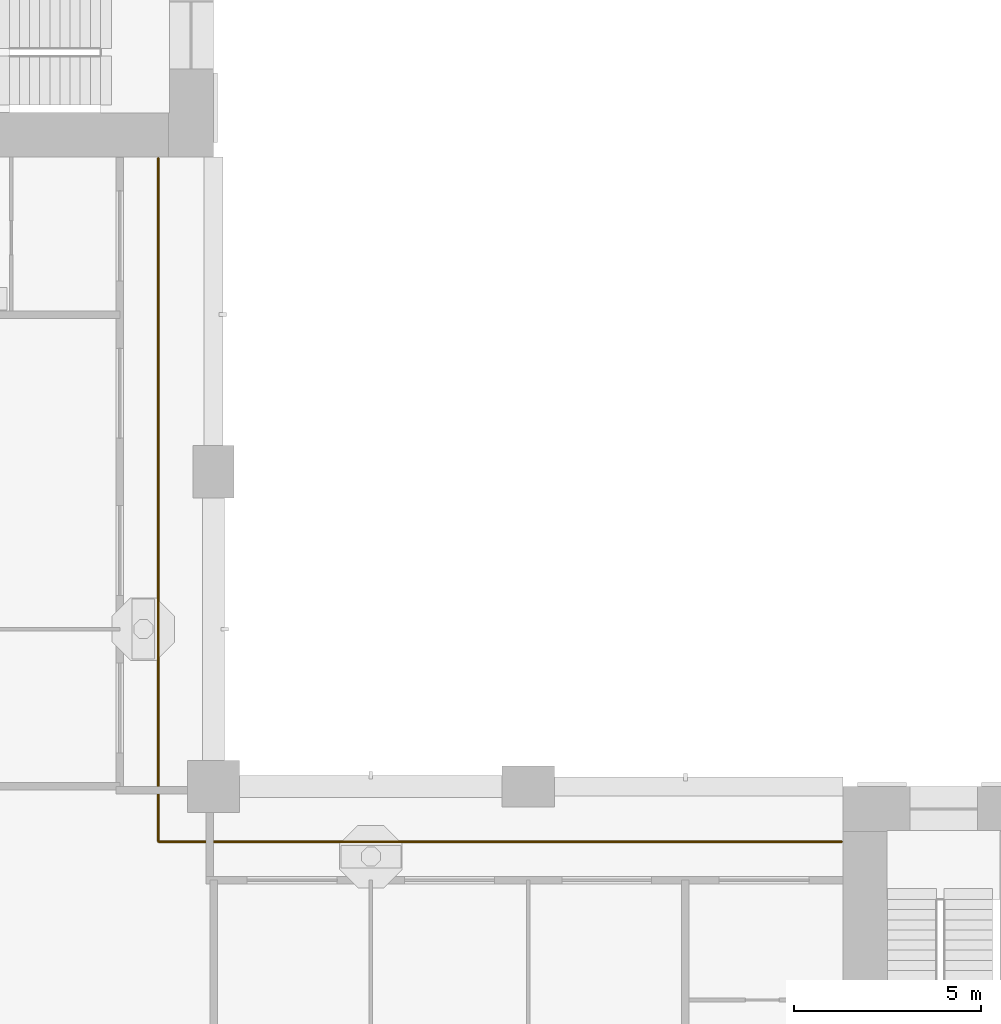
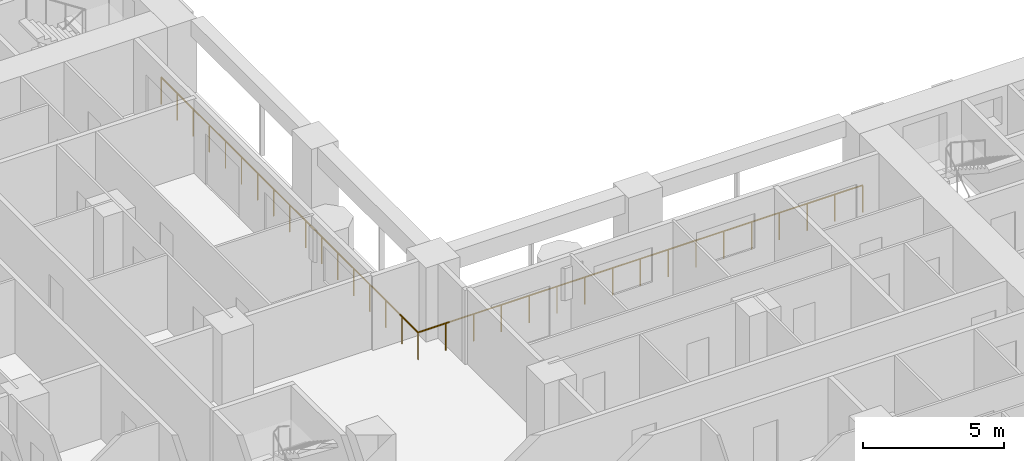
# One storey, part 16 of 20: 1 railing.
"""IFC4 building model written with IfcOpenShell, lengths in metres."""

from ifc_helpers import new_model, si_unit, direction, frame, origin, origin_2d, place, context, subcontext, project, spatial, circle, extrude, material, type_object, element, save


model = new_model("IFC4")

# Units and contexts
model_context = context("Model", 3, precision=1e-05, world=origin(), true_north=direction((0.0, 1.0)))
body_context = subcontext(model_context, "Body", "Model", "MODEL_VIEW")
ifc_project = project(units=[si_unit("LENGTHUNIT", "METRE"), si_unit("AREAUNIT", "SQUARE_METRE"), si_unit("VOLUMEUNIT", "CUBIC_METRE"), si_unit("PLANEANGLEUNIT", "RADIAN"), si_unit("MASSUNIT", "GRAM", prefix="KILO")], contexts=[model_context])

# Site, building, storey
site_placement = place(None, origin())
site = spatial("IfcSite", under=ifc_project, at=site_placement, CompositionType="ELEMENT")
building_placement = place(site_placement, origin())
building = spatial("IfcBuilding", under=site, at=building_placement, Name="Vermilion Gate Residences", CompositionType="ELEMENT")
storey_placement = place(building_placement, frame((0.0, 0.0, 39.199951171875)))
storey = spatial("IfcBuildingStorey", under=building, at=storey_placement, Name="L08", CompositionType="ELEMENT", Elevation=39.199951171875)

# Railing
ifc_material = material(Name="Stainless steel and toughened glass", Category="steel")
railing_type = type_object("IfcRailingType", Name="LOGGIA GUARD STEEL AND GLASS 1200", PredefinedType="GUARDRAIL", material=ifc_material)
railing_placement = place(storey_placement, frame((41.97802734375, 23.72509765625, 0.0)))
element("IfcRailing", 1, at=railing_placement, inside=storey, type_object=railing_type, Name="Loggia guard", PredefinedType="GUARDRAIL", context=body_context, shape_type="SweptSolid", body=[
    extrude(circle(Radius=0.030029296875, at=origin_2d()), frame((0.0, 0.0, 1.169921875), z_axis=(-1.0, 0.0, 0.0), x_axis=(0.0, -1.0, 0.0)), (0.0, 0.0, 1.0), 18.2529296875),
    extrude(circle(Radius=0.030029296875, at=origin_2d()), frame((-18.2529296875, 0.0, 1.169921875), z_axis=(0.0, 1.0, 0.0), x_axis=(-1.0, 0.0, 0.0)), (0.0, 0.0, 1.0), 18.2529296875),
    extrude(circle(Radius=0.02490234375, at=origin_2d()), origin(), (0.0, 0.0, 1.0), 1.139892578125),
    extrude(circle(Radius=0.02490234375, at=origin_2d()), frame((-1.140869140625, 0.0, 0.0)), (0.0, 0.0, 1.0), 1.139892578125),
    extrude(circle(Radius=0.02490234375, at=origin_2d()), frame((-2.28173828125, 0.0, 0.0)), (0.0, 0.0, 1.0), 1.139892578125),
    extrude(circle(Radius=0.02490234375, at=origin_2d()), frame((-3.42236328125, 0.0, 0.0)), (0.0, 0.0, 1.0), 1.139892578125),
    extrude(circle(Radius=0.02490234375, at=origin_2d()), frame((-4.563232421875, 0.0, 0.0)), (0.0, 0.0, 1.0), 1.139892578125),
    extrude(circle(Radius=0.02490234375, at=origin_2d()), frame((-5.7041015625, 0.0, 0.0)), (0.0, 0.0, 1.0), 1.139892578125),
    extrude(circle(Radius=0.02490234375, at=origin_2d()), frame((-6.8447265625, 0.0, 0.0)), (0.0, 0.0, 1.0), 1.139892578125),
    extrude(circle(Radius=0.02490234375, at=origin_2d()), frame((-7.985595703125, 0.0, 0.0)), (0.0, 0.0, 1.0), 1.139892578125),
    extrude(circle(Radius=0.02490234375, at=origin_2d()), frame((-9.12646484375, 0.0, 0.0)), (0.0, 0.0, 1.0), 1.139892578125),
    extrude(circle(Radius=0.02490234375, at=origin_2d()), frame((-10.267333984375, 0.0, 0.0)), (0.0, 0.0, 1.0), 1.139892578125),
    extrude(circle(Radius=0.02490234375, at=origin_2d()), frame((-11.408203125, 0.0, 0.0)), (0.0, 0.0, 1.0), 1.139892578125),
    extrude(circle(Radius=0.02490234375, at=origin_2d()), frame((-12.548828125, 0.0, 0.0)), (0.0, 0.0, 1.0), 1.139892578125),
    extrude(circle(Radius=0.02490234375, at=origin_2d()), frame((-13.689697265625, 0.0, 0.0)), (0.0, 0.0, 1.0), 1.139892578125),
    extrude(circle(Radius=0.02490234375, at=origin_2d()), frame((-14.83056640625, 0.0, 0.0)), (0.0, 0.0, 1.0), 1.139892578125),
    extrude(circle(Radius=0.02490234375, at=origin_2d()), frame((-15.97119140625, 0.0, 0.0)), (0.0, 0.0, 1.0), 1.139892578125),
    extrude(circle(Radius=0.02490234375, at=origin_2d()), frame((-17.112060546875, 0.0, 0.0)), (0.0, 0.0, 1.0), 1.139892578125),
    extrude(circle(Radius=0.02490234375, at=origin_2d()), frame((-18.2529296875, 0.0, 0.0)), (0.0, 0.0, 1.0), 1.139892578125),
    extrude(circle(Radius=0.02490234375, at=origin_2d()), frame((-18.2529296875, 1.140869140625, 0.0)), (0.0, 0.0, 1.0), 1.139892578125),
    extrude(circle(Radius=0.02490234375, at=origin_2d()), frame((-18.2529296875, 2.28173828125, 0.0)), (0.0, 0.0, 1.0), 1.139892578125),
    extrude(circle(Radius=0.02490234375, at=origin_2d()), frame((-18.2529296875, 3.42236328125, 0.0)), (0.0, 0.0, 1.0), 1.139892578125),
    extrude(circle(Radius=0.02490234375, at=origin_2d()), frame((-18.2529296875, 4.563232421875, 0.0)), (0.0, 0.0, 1.0), 1.139892578125),
    extrude(circle(Radius=0.02490234375, at=origin_2d()), frame((-18.2529296875, 5.7041015625, 0.0)), (0.0, 0.0, 1.0), 1.139892578125),
    extrude(circle(Radius=0.02490234375, at=origin_2d()), frame((-18.2529296875, 6.8447265625, 0.0)), (0.0, 0.0, 1.0), 1.139892578125),
    extrude(circle(Radius=0.02490234375, at=origin_2d()), frame((-18.2529296875, 7.985595703125, 0.0)), (0.0, 0.0, 1.0), 1.139892578125),
    extrude(circle(Radius=0.02490234375, at=origin_2d()), frame((-18.2529296875, 9.12646484375, 0.0)), (0.0, 0.0, 1.0), 1.139892578125),
    extrude(circle(Radius=0.02490234375, at=origin_2d()), frame((-18.2529296875, 10.267333984375, 0.0)), (0.0, 0.0, 1.0), 1.139892578125),
    extrude(circle(Radius=0.02490234375, at=origin_2d()), frame((-18.2529296875, 11.408203125, 0.0)), (0.0, 0.0, 1.0), 1.139892578125),
    extrude(circle(Radius=0.02490234375, at=origin_2d()), frame((-18.2529296875, 12.548828125, 0.0)), (0.0, 0.0, 1.0), 1.139892578125),
    extrude(circle(Radius=0.02490234375, at=origin_2d()), frame((-18.2529296875, 13.689697265625, 0.0)), (0.0, 0.0, 1.0), 1.139892578125),
    extrude(circle(Radius=0.02490234375, at=origin_2d()), frame((-18.2529296875, 14.83056640625, 0.0)), (0.0, 0.0, 1.0), 1.139892578125),
    extrude(circle(Radius=0.02490234375, at=origin_2d()), frame((-18.2529296875, 15.97119140625, 0.0)), (0.0, 0.0, 1.0), 1.139892578125),
    extrude(circle(Radius=0.02490234375, at=origin_2d()), frame((-18.2529296875, 17.112060546875, 0.0)), (0.0, 0.0, 1.0), 1.139892578125),
    extrude(circle(Radius=0.02490234375, at=origin_2d()), frame((-18.2529296875, 18.2529296875, 0.0)), (0.0, 0.0, 1.0), 1.139892578125),
])

save(model, "model.ifc")
